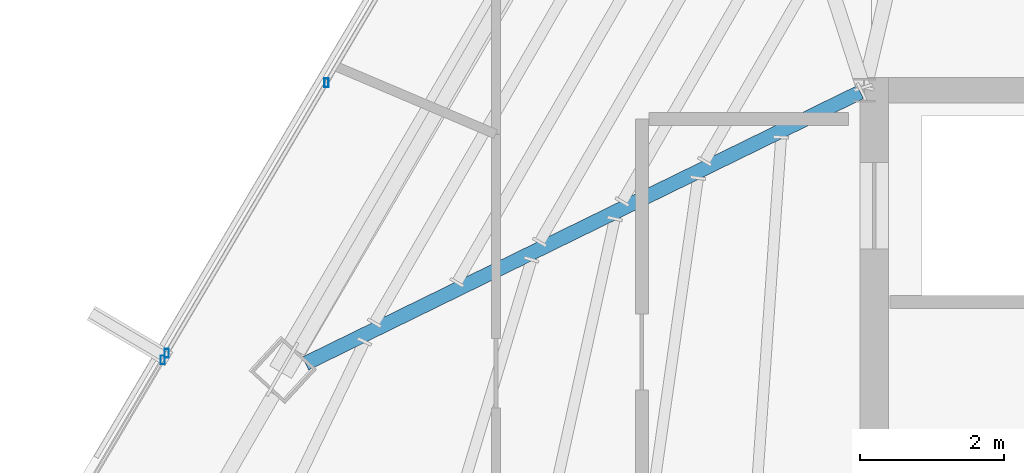
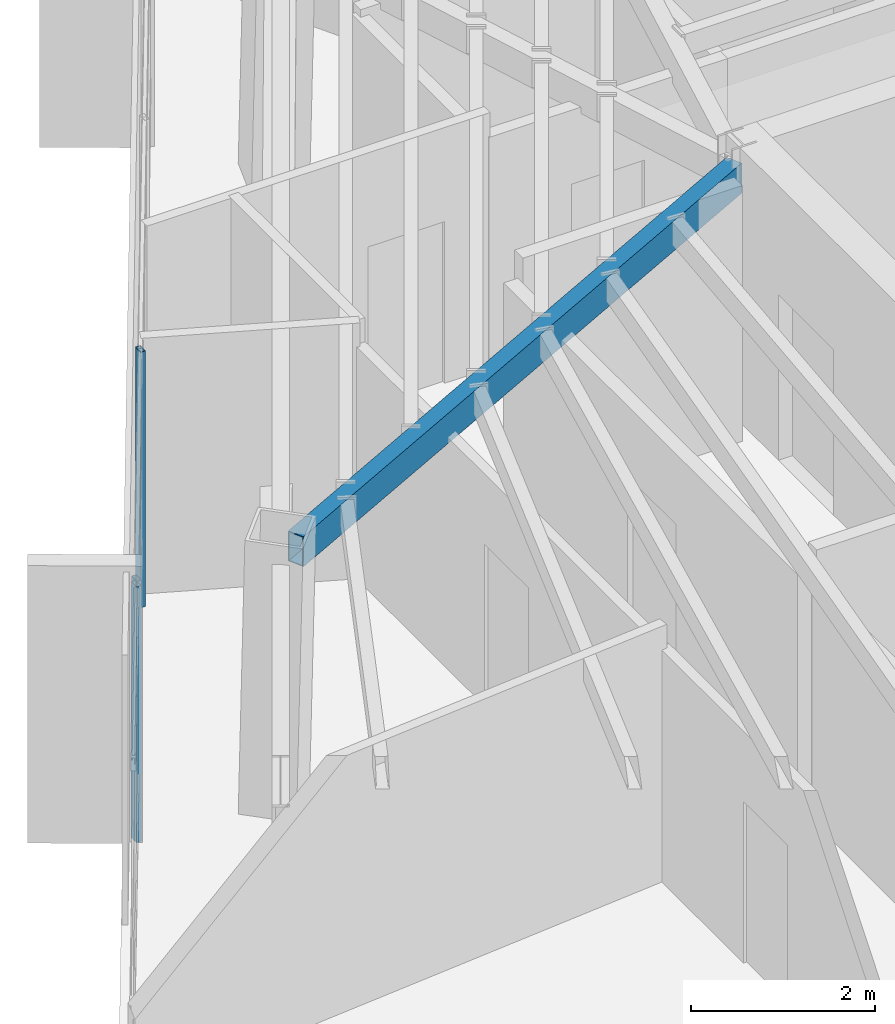
# One storey, part 15 of 45: 3 members, 1 beam, 2 elements without a shape of their own.
"""IFC4 building model written with IfcOpenShell, lengths in metres."""

from ifc_helpers import new_model, si_unit, direction, frame, origin, origin_2d, place, context, subcontext, project, spatial, hollow_rectangle, extrude, source, transform, mapped, material, material_profile, profile_set, type_object, type_shapes, element, aggregate, save


model = new_model("IFC4")

# Units and contexts
model_context = context("Model", 3, precision=1e-05, world=origin(), true_north=direction((0.0, 1.0)))
body_context = subcontext(model_context, "Body", "Model", "MODEL_VIEW")
ifc_project = project(units=[si_unit("LENGTHUNIT", "METRE"), si_unit("AREAUNIT", "SQUARE_METRE"), si_unit("VOLUMEUNIT", "CUBIC_METRE"), si_unit("PLANEANGLEUNIT", "RADIAN"), si_unit("MASSUNIT", "GRAM", prefix="KILO")], contexts=[model_context])

# Site, building, storey
site_placement = place(None, origin())
site = spatial("IfcSite", under=ifc_project, at=site_placement, CompositionType="ELEMENT")
building_placement = place(site_placement, origin())
building = spatial("IfcBuilding", under=site, at=building_placement, Name="Caelisora Broadcast Tower", CompositionType="ELEMENT")
storey_placement = place(building_placement, frame((0.0, 0.0, 262.699951171875)))
storey = spatial("IfcBuildingStorey", under=building, at=storey_placement, Name="L69", CompositionType="ELEMENT", Elevation=262.699951171875)

# Beam
ifc_material_1 = material(Name="Steel Grade 350 (AS/NZS 1163 C350L0)", Category="steel")
ifc_material_profile_1 = material_profile(ifc_material_1, hollow_rectangle(XDim=0.199951171875, YDim=0.39990234375, WallThickness=0.012451171875, at=origin_2d()), Name="Steel Grade 350 (AS/NZS 1163 C350L0)")
ifc_profile_set_1 = profile_set([ifc_material_profile_1], Name="Steel Grade 350 (AS/NZS 1163 C350L0)")
beam_type = type_object("IfcBeamType", Name="PG07", PredefinedType="BEAM", material=ifc_profile_set_1)
shared_shape_1 = source(origin(), body_context, "Body", "SweptSolid", [
    extrude(hollow_rectangle(XDim=0.199951171875, YDim=0.39990234375, WallThickness=0.012451171875, at=origin_2d()), origin(), (0.0, 0.0, 1.0), 8.5556640625),
])
type_shapes(beam_type, [shared_shape_1])
beam_placement = place(storey_placement, frame((30.446044921875, 29.9736328125, 3.199951171875), z_axis=(-0.898279996039, -0.439423541377, 0.0), x_axis=(0.439423541377, -0.898279996039, 0.0)))
element("IfcBeam", 1, at=beam_placement, inside=storey, type_object=beam_type, Name="L69 beam PG07", PredefinedType="BEAM", context=body_context, shape_type="MappedRepresentation", body=[
    mapped(shared_shape_1, transform((0.0, 0.0, 0.0), scale=1.0)),
])

# Curtain wall, member
ifc_material_2 = material(Name="Unitised Aluminium and Low-E Glass Curtain Wall", Category="glass")
curtain_wall_type_1 = type_object("IfcCurtainWallType", Name="CW-Z5", PredefinedType="NOTDEFINED", material=ifc_material_2)
curtain_wall_1_placement = place(storey_placement, origin())
curtain_wall_1 = element("IfcCurtainWall", 2, at=curtain_wall_1_placement, inside=storey, type_object=curtain_wall_type_1, Name="L69 curtain wall CW-Z5", PredefinedType="NOTDEFINED")
ifc_material_3 = material(Name="Aluminium 6063-T6 Anodised Terracotta Bronze", Category="aluminium")
ifc_material_profile_2 = material_profile(ifc_material_3, hollow_rectangle(XDim=0.06005859375, YDim=0.1201171875, WallThickness=0.0029296875, at=origin_2d()), Name="Aluminium 6063-T6 Anodised Terracotta Bronze")
ifc_profile_set_2 = profile_set([ifc_material_profile_2], Name="Aluminium 6063-T6 Anodised Terracotta Bronze")
member_type = type_object("IfcMemberType", Name="CWM-04", PredefinedType="MULLION", material=ifc_profile_set_2)
shared_shape_2 = source(origin(), body_context, "Body", "SweptSolid", [
    extrude(hollow_rectangle(XDim=0.06005859375, YDim=0.1201171875, WallThickness=0.0029296875, at=origin_2d()), origin(), (0.0, 0.0, 1.0), 3.400146484375),
])
type_shapes(member_type, [shared_shape_2])
member_1_placement = place(storey_placement, frame((20.78369140625, 26.26318359375, 0.0), z_axis=(0.0, 0.0, 1.0), x_axis=(1.0, 0.0, 0.0)))
member_1 = element("IfcMember", 3, at=member_1_placement, type_object=member_type, Name="L69-CW-B09 mullion #3", PredefinedType="MULLION", context=body_context, shape_type="MappedRepresentation", body=[
    mapped(shared_shape_2, transform((0.0, 0.0, 0.0), scale=1.0)),
])
aggregate(curtain_wall_1, [member_1])

# Curtain wall, members
ifc_material_4 = material(Name="Unitised Aluminium Insulated Shadow-Box Spandrel Curtain Wall", Category="aluminium")
curtain_wall_type_2 = type_object("IfcCurtainWallType", Name="CW-SP3", PredefinedType="NOTDEFINED", material=ifc_material_4)
curtain_wall_2_placement = place(storey_placement, origin())
curtain_wall_2 = element("IfcCurtainWall", 4, at=curtain_wall_2_placement, inside=storey, type_object=curtain_wall_type_2, Name="L69 curtain wall CW-SP3", PredefinedType="NOTDEFINED")
member_2_placement = place(storey_placement, frame((20.839599609375, 26.35791015625, 0.0), z_axis=(0.0, 0.0, 1.0), x_axis=(1.0, 0.0, 0.0)))
member_2 = element("IfcMember", 5, at=member_2_placement, type_object=member_type, Name="L69-CW-B10 mullion #0", PredefinedType="MULLION", context=body_context, shape_type="MappedRepresentation", body=[
    mapped(shared_shape_2, transform((0.0, 0.0, 0.0), scale=1.0)),
])
member_3_placement = place(storey_placement, frame((23.052490234375, 30.10498046875, 0.0), z_axis=(0.0, 0.0, 1.0), x_axis=(1.0, 0.0, 0.0)))
member_3 = element("IfcMember", 6, at=member_3_placement, type_object=member_type, Name="L69-CW-B10 mullion #1", PredefinedType="MULLION", context=body_context, shape_type="MappedRepresentation", body=[
    mapped(shared_shape_2, transform((0.0, 0.0, 0.0), scale=1.0)),
])
aggregate(curtain_wall_2, [member_2, member_3])

save(model, "model.ifc")
